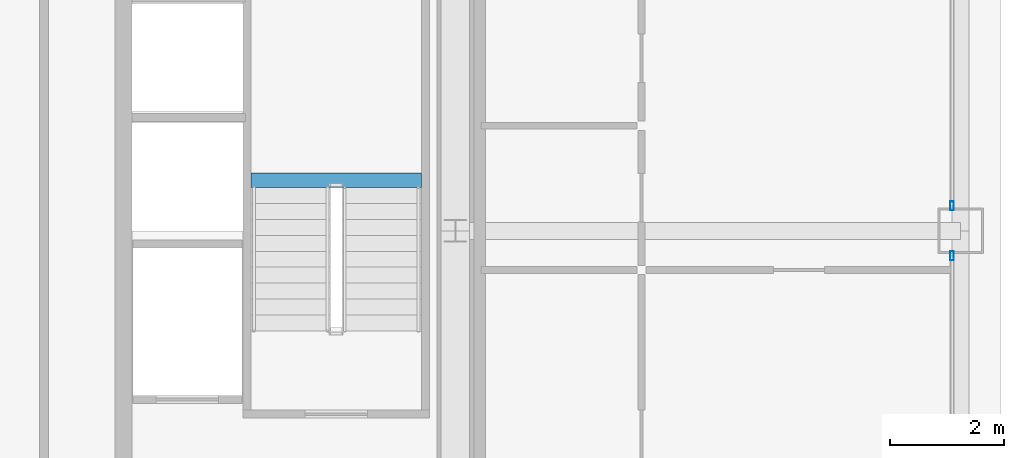
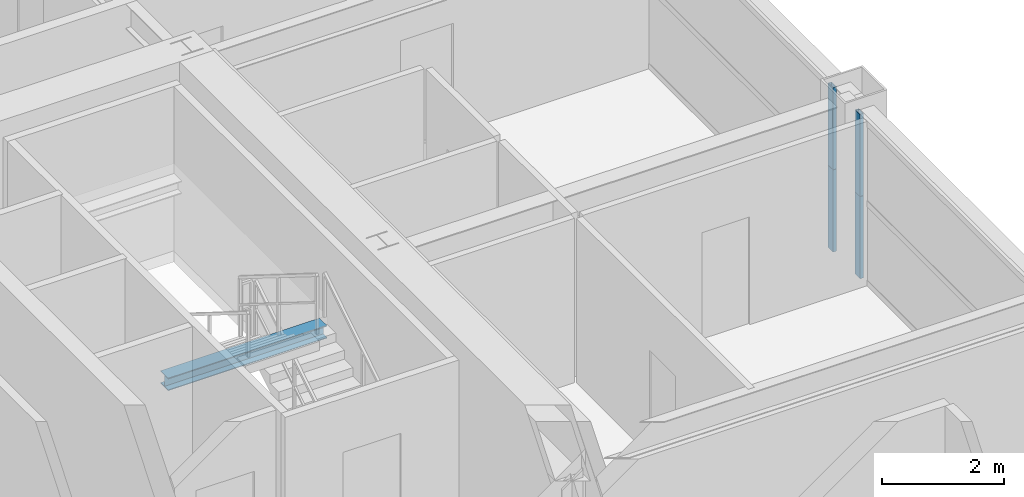
# One storey, part 23 of 42: 4 members, 1 beam, 2 elements without a shape of their own.
"""IFC4 building model written with IfcOpenShell, lengths in metres."""

from ifc_helpers import new_model, si_unit, direction, frame, origin, origin_2d, place, context, subcontext, project, spatial, hollow_rectangle, i_section, extrude, source, transform, mapped, material, layer, layer_set, material_profile, profile_set, type_object, element, aggregate, save


model = new_model("IFC4")

# Units and contexts
model_context = context("Model", 3, precision=1e-05, world=origin(), true_north=direction((0.0, 1.0)))
body_context = subcontext(model_context, "Body", "Model", "MODEL_VIEW")
ifc_project = project(units=[si_unit("LENGTHUNIT", "METRE"), si_unit("AREAUNIT", "SQUARE_METRE"), si_unit("VOLUMEUNIT", "CUBIC_METRE"), si_unit("PLANEANGLEUNIT", "RADIAN"), si_unit("MASSUNIT", "GRAM", prefix="KILO"), si_unit("THERMODYNAMICTEMPERATUREUNIT", "KELVIN"), si_unit("POWERUNIT", "WATT")], contexts=[model_context])

# Site, building, storey
site_placement = place(None, origin())
site = spatial("IfcSite", under=ifc_project, at=site_placement, CompositionType="ELEMENT")
building_placement = place(site_placement, origin())
building = spatial("IfcBuilding", under=site, at=building_placement, Name="Yuzanri Waterfront Tower", CompositionType="ELEMENT")
storey_placement = place(building_placement, frame((0.0, 0.0, 184.5)))
storey = spatial("IfcBuildingStorey", under=building, at=storey_placement, Name="L48", CompositionType="ELEMENT", Elevation=184.5)

# Curtain wall, members
ifc_material_1 = material(Name="Anodized Architectural Bronze", Category="metal")
ifc_layer = layer(ifc_material_1, 0.159912109375)
ifc_layer_set = layer_set([ifc_layer], Name="Anodized Architectural Bronze")
curtain_wall_type = type_object("IfcCurtainWallType", Name="Anodized Bronze Mid-Rise Residential Acoustic Unitized Curtain Wall 7200", PredefinedType="NOTDEFINED", material=ifc_layer_set)
curtain_wall_1_placement = place(storey_placement, origin())
curtain_wall_1 = element("IfcCurtainWall", 1, at=curtain_wall_1_placement, inside=storey, type_object=curtain_wall_type, Name="L48 Curtain Wall CW-L48-EL", PredefinedType="NOTDEFINED")
ifc_material_2 = material(Name="Anodized Architectural Bronze", Category="metal")
ifc_material_profile_1 = material_profile(ifc_material_2, hollow_rectangle(XDim=0.06494140625, YDim=0.159912109375, WallThickness=0.00341796875, at=origin_2d()), Name="CWM 65x160")
ifc_profile_set_1 = profile_set([ifc_material_profile_1], Name="Anodized Architectural Bronze")
member_type = type_object("IfcMemberType", Name="Anodized Bronze Upper-Zone Curtain-Wall Mullion 65x160", PredefinedType="MULLION", material=ifc_profile_set_1)
shared_shape_1 = source(origin(), body_context, "Body", "SweptSolid", [
    extrude(hollow_rectangle(XDim=0.06494140625, YDim=0.159912109375, WallThickness=0.00341796875, at=origin_2d()), origin(), (0.0, 0.0, 1.0), 1.637939453125),
])
member_1_placement = place(storey_placement, frame((58.949951171875, 25.360107421875, 0.0), z_axis=(0.0, 0.0, 1.0), x_axis=(1.0, 0.0, 0.0)))
member_1 = element("IfcMember", 2, at=member_1_placement, type_object=member_type, Name="CW-L48-EL Lower Mullion 02", PredefinedType="MULLION", context=body_context, shape_type="MappedRepresentation", body=[
    mapped(shared_shape_1, transform((0.0, 0.0, 0.0), scale=1.0)),
])
member_2_placement = place(storey_placement, frame((58.949951171875, 25.360107421875, 1.64208984375), z_axis=(0.0, 0.0, 1.0), x_axis=(1.0, 0.0, 0.0)))
member_2 = element("IfcMember", 3, at=member_2_placement, type_object=member_type, Name="CW-L48-EL Upper Mullion 02", PredefinedType="MULLION", context=body_context, shape_type="MappedRepresentation", body=[
    mapped(shared_shape_1, transform((0.0, 0.0, 0.0), scale=1.0)),
])
aggregate(curtain_wall_1, [member_1, member_2])

curtain_wall_2_placement = place(storey_placement, origin())
curtain_wall_2 = element("IfcCurtainWall", 4, at=curtain_wall_2_placement, inside=storey, type_object=curtain_wall_type, Name="L48 Curtain Wall CW-L48-ER", PredefinedType="NOTDEFINED")
member_3_placement = place(storey_placement, frame((58.949951171875, 26.239990234375, 0.0), z_axis=(0.0, 0.0, 1.0), x_axis=(1.0, 0.0, 0.0)))
member_3 = element("IfcMember", 5, at=member_3_placement, type_object=member_type, Name="CW-L48-ER Lower Mullion 00", PredefinedType="MULLION", context=body_context, shape_type="MappedRepresentation", body=[
    mapped(shared_shape_1, transform((0.0, 0.0, 0.0), scale=1.0)),
])
member_4_placement = place(storey_placement, frame((58.949951171875, 26.239990234375, 1.64208984375), z_axis=(0.0, 0.0, 1.0), x_axis=(1.0, 0.0, 0.0)))
member_4 = element("IfcMember", 6, at=member_4_placement, type_object=member_type, Name="CW-L48-ER Upper Mullion 00", PredefinedType="MULLION", context=body_context, shape_type="MappedRepresentation", body=[
    mapped(shared_shape_1, transform((0.0, 0.0, 0.0), scale=1.0)),
])
aggregate(curtain_wall_2, [member_3, member_4])

# Beam
ifc_material_3 = material(Name="Steel Q355B", Category="steel")
ifc_material_profile_2 = material_profile(ifc_material_3, i_section(OverallWidth=0.25, OverallDepth=0.25, WebThickness=0.009033203125, FlangeThickness=0.013916015625, at=origin_2d()), Name="HW 250x250x9x14")
ifc_profile_set_2 = profile_set([ifc_material_profile_2], Name="Steel Q355B")
beam_type = type_object("IfcBeamType", Name="Stair Landing Support Beam Q355B HW 250x250", PredefinedType="BEAM", material=ifc_profile_set_2)
shared_shape_2 = source(origin(), body_context, "Body", "SweptSolid", [
    extrude(i_section(OverallWidth=0.25, OverallDepth=0.25, WebThickness=0.009033203125, FlangeThickness=0.013916015625, at=origin_2d()), origin(), (0.0, 0.0, 1.0), 3.0),
])
beam_placement = place(storey_placement, frame((46.60009765625, 26.68994140625, 1.425048828125), z_axis=(1.0, 0.0, 0.0), x_axis=(0.0, 1.0, 0.0)))
element("IfcBeam", 7, at=beam_placement, inside=storey, type_object=beam_type, Name="L48 Stair Landing Support Beam ST-02-L48-L1-1", PredefinedType="BEAM", context=body_context, shape_type="MappedRepresentation", body=[
    mapped(shared_shape_2, transform((0.0, 0.0, 0.0), scale=1.0)),
])

save(model, "model.ifc")
